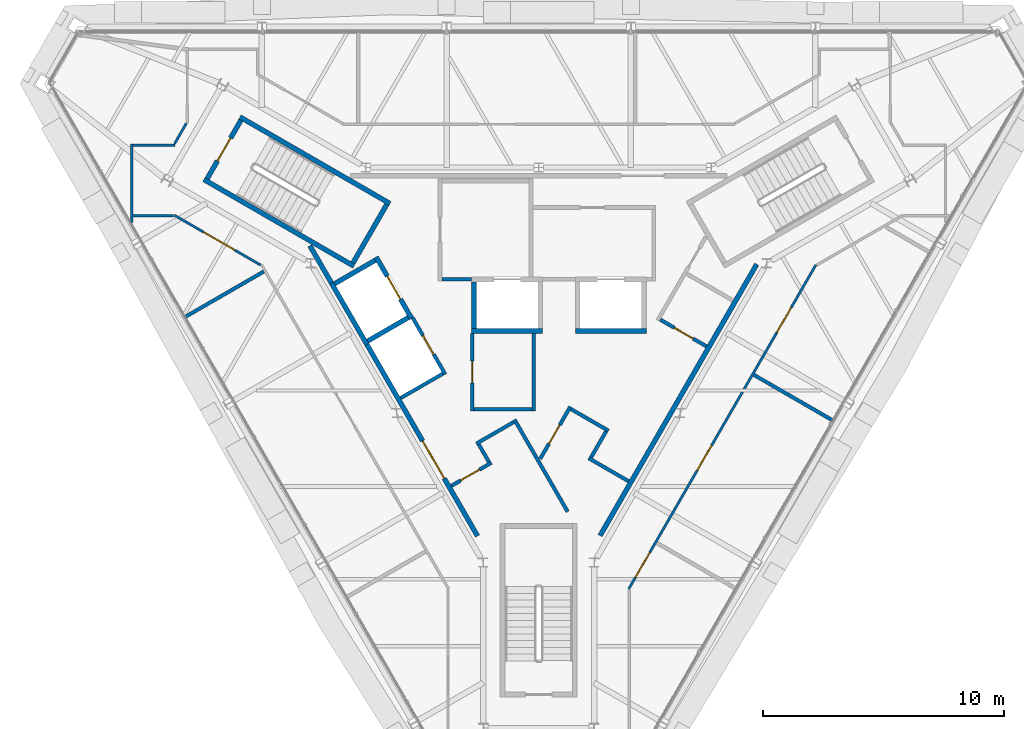
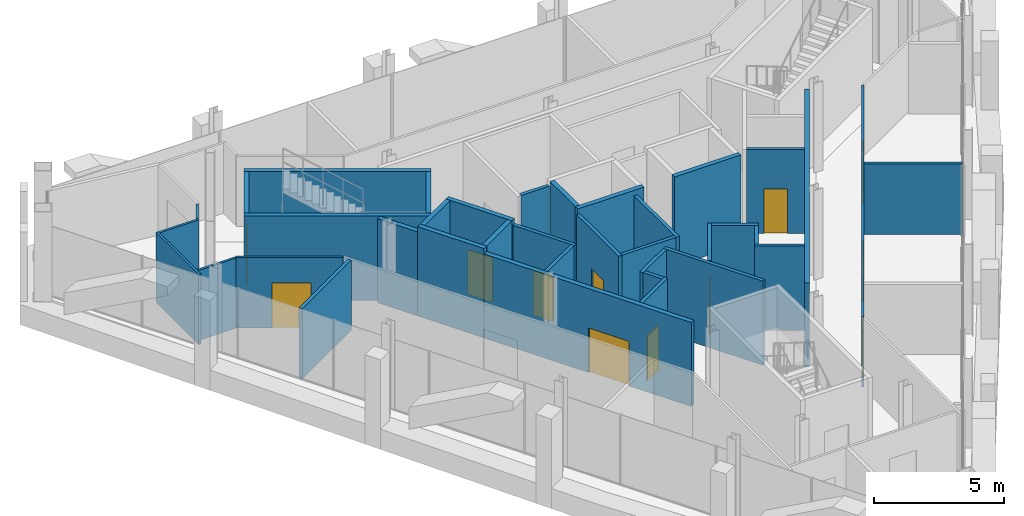
# One storey, part 9 of 13: 37 walls, 12 doors, 12 openings.
"""IFC4 building model written with IfcOpenShell, lengths in metres."""

from ifc_helpers import new_model, si_unit, direction, frame, frame_2d, origin, place, context, subcontext, project, spatial, rectangle, extrude, material, layer, layer_set, type_object, element, fill, save


model = new_model("IFC4")

# Units and contexts
model_context = context("Model", 3, precision=1e-05, world=origin(), true_north=direction((0.0, 1.0)))
body_context = subcontext(model_context, "Body", "Model", "MODEL_VIEW")
ifc_project = project(units=[si_unit("LENGTHUNIT", "METRE"), si_unit("AREAUNIT", "SQUARE_METRE"), si_unit("VOLUMEUNIT", "CUBIC_METRE"), si_unit("PLANEANGLEUNIT", "RADIAN"), si_unit("MASSUNIT", "GRAM", prefix="KILO")], contexts=[model_context])

# Site, building, storey
site_placement = place(None, origin())
site = spatial("IfcSite", under=ifc_project, at=site_placement, CompositionType="ELEMENT")
building_placement = place(site_placement, origin())
building = spatial("IfcBuilding", under=site, at=building_placement, Name="Verrane Prism Tower", CompositionType="ELEMENT")
storey_placement = place(building_placement, frame((0.0, 0.0, 321.0)))
storey = spatial("IfcBuildingStorey", under=building, at=storey_placement, Name="L81", CompositionType="ELEMENT", Elevation=321.0)

# Wall
ifc_material_1 = material(Name="Gypsum board partition", Category="other")
ifc_layer_1 = layer(ifc_material_1, 0.199951171875)
ifc_layer_set_1 = layer_set([ifc_layer_1], Name="CW-200 core boundary wall 2 h")
wall_type_1 = type_object("IfcWallType", Name="CW-200 core boundary wall 2 h", PredefinedType="PARTITIONING", material=ifc_layer_set_1)
wall_1_placement = place(storey_placement, frame((-9.509033203125, 3.550537109375, 0.0), z_axis=(0.0, 0.0, 1.0), x_axis=(0.499999136801, -0.866025902152, 0.0)))
element("IfcWall", 1, at=wall_1_placement, inside=storey, type_object=wall_type_1, Name="Core boundary wall CW3-001", PredefinedType="PARTITIONING", context=body_context, shape_type="SweptSolid", body=[
    extrude(rectangle(XDim=1.7822265625, YDim=0.199951171875, at=frame_2d((0.89111328125, 0.0))), origin(), (0.0, 0.0, 1.0), 3.949951171875),
])

# Wall, opening, door
wall_2_placement = place(storey_placement, frame((-7.14111328125, -0.551025390625, 0.0), z_axis=(0.0, 0.0, 1.0), x_axis=(0.499992795234, -0.866029563418, 0.0)))
wall_2 = element("IfcWall", 2, at=wall_2_placement, inside=storey, type_object=wall_type_1, Name="Core boundary wall CW3-003", PredefinedType="PARTITIONING", context=body_context, shape_type="SweptSolid", body=[
    extrude(rectangle(XDim=9.198486328125, YDim=0.199951171875, at=frame_2d((4.59912109375, 0.0))), origin(), (0.0, 0.0, 1.0), 3.949951171875),
])
opening_1_placement = place(wall_2_placement, frame((4.634033203125, 0.0, 0.0)))
opening_1 = element("IfcOpeningElement", 3, at=opening_1_placement, cuts=wall_2, Name="Opening D81507", PredefinedType="OPENING", context=body_context, shape_type="SweptSolid", body=[
    extrude(rectangle(XDim=1.800048828125, YDim=2.10009765625, at=frame_2d((0.89990234375, 1.050048828125))), frame((0.0, 0.10986328125, 0.0), z_axis=(0.0, -1.0, 0.0), x_axis=(1.0, 0.0, 0.0)), (0.0, 0.0, 1.0), 0.219970703125),
])
ifc_material_2 = material(Name="Timber veneered door leaf", Category="wood")
door_type_1 = type_object("IfcDoorType", Name="DR-1800x2100 FD60 double leaf lift lobby", OperationType="NOTDEFINED", PredefinedType="DOOR", material=ifc_material_2)
door_1_placement = place(opening_1_placement, origin())
door_1 = element("IfcDoor", 4, at=door_1_placement, inside=storey, type_object=door_type_1, Name="Lift lobby door D81507", OperationType="DOUBLE_DOOR_SINGLE_SWING", OverallHeight=2.10009765625, OverallWidth=1.800048828125, PredefinedType="DOOR", context=body_context, shape_type="SweptSolid", body=[
    extrude(rectangle(XDim=1.800048828125, YDim=2.10009765625, at=frame_2d((0.89990234375, 1.050048828125))), frame((0.0, 0.02490234375, 0.0), z_axis=(0.0, -1.0, 0.0), x_axis=(1.0, 0.0, 0.0)), (0.0, 0.0, 1.0), 0.050048828125),
])
fill(opening_1, door_1)

# Wall
wall_3_placement = place(storey_placement, frame((2.552001953125, -8.5, 0.0), z_axis=(0.0, 0.0, 1.0), x_axis=(0.499967462014, 0.866044188784, 0.0)))
element("IfcWall", 5, at=wall_3_placement, inside=storey, type_object=wall_type_1, Name="Core boundary wall CW3-004", PredefinedType="PARTITIONING", context=body_context, shape_type="SweptSolid", body=[
    extrude(rectangle(XDim=13.024658203125, YDim=0.199951171875, at=frame_2d((6.51220703125, 0.0))), origin(), (0.0, 0.0, 1.0), 3.949951171875),
])

# Wall, opening, door
ifc_material_3 = material(Name="Concrete C40/50", Category="concrete")
ifc_layer_2 = layer(ifc_material_3, 0.199951171875)
ifc_layer_set_2 = layer_set([ifc_layer_2], Name="CW-200 stair core wall concrete C40/50 3 h")
wall_type_2 = type_object("IfcWallType", Name="CW-200 stair core wall concrete C40/50 3 h", PredefinedType="PARTITIONING", material=ifc_layer_set_2)
wall_4_placement = place(storey_placement, frame((-12.376953125, 8.762451171875, 0.0), z_axis=(0.0, 0.0, 1.0), x_axis=(-0.500049511043, -0.865996816683, 0.0)))
wall_4 = element("IfcWall", 6, at=wall_4_placement, inside=storey, type_object=wall_type_2, Name="Stair 2 enclosure wall", PredefinedType="PARTITIONING", context=body_context, shape_type="SweptSolid", body=[
    extrude(rectangle(XDim=2.800048828125, YDim=0.199951171875, at=frame_2d((1.39990234375, 0.0))), origin(), (0.0, 0.0, 1.0), 3.949951171875),
])
opening_2_placement = place(wall_4_placement, frame((0.849853515625, 0.0, 0.0)))
opening_2 = element("IfcOpeningElement", 7, at=opening_2_placement, cuts=wall_4, Name="Opening D81501", PredefinedType="OPENING", context=body_context, shape_type="SweptSolid", body=[
    extrude(rectangle(XDim=1.10009765625, YDim=2.10009765625, at=frame_2d((0.550048828125, 1.050048828125))), frame((0.0, 0.10986328125, 0.0), z_axis=(0.0, -1.0, 0.0), x_axis=(1.0, 0.0, 0.0)), (0.0, 0.0, 1.0), 0.219970703125),
])
ifc_material_4 = material(Name="Timber veneered door leaf", Category="wood")
door_type_2 = type_object("IfcDoorType", Name="DR-1100x2100 FD90 single leaf stair", OperationType="NOTDEFINED", PredefinedType="DOOR", material=ifc_material_4)
door_2_placement = place(opening_2_placement, origin())
door_2 = element("IfcDoor", 8, at=door_2_placement, inside=storey, type_object=door_type_2, Name="Stair 2 door", OperationType="SINGLE_SWING_RIGHT", OverallHeight=2.10009765625, OverallWidth=1.10009765625, PredefinedType="DOOR", context=body_context, shape_type="SweptSolid", body=[
    extrude(rectangle(XDim=1.10009765625, YDim=2.10009765625, at=frame_2d((0.550048828125, 1.050048828125))), frame((0.0, 0.02490234375, 0.0), z_axis=(0.0, -1.0, 0.0), x_axis=(1.0, 0.0, 0.0)), (0.0, 0.0, 1.0), 0.050048828125),
])
fill(opening_2, door_2)

# Walls
for number, where, z_axis, x_axis, name in (
    (9, (-7.67822265625, 2.700927734375, 0.0), (0.0, 0.0, 1.0), (-0.866018442252, 0.500012057535, 0.0), "Stair 2 enclosure wall"),
    (10, (-6.17822265625, 5.299072265625, 0.0), (0.0, 0.0, 1.0), (-0.866033125095, 0.499986626058, 0.0), "Stair 2 enclosure wall"),
):
    element("IfcWall", number, at=place(storey_placement, frame(where, z_axis=z_axis, x_axis=x_axis)), inside=storey, type_object=wall_type_2, Name=name, PredefinedType="PARTITIONING", context=body_context, shape_type="SweptSolid", body=[
        extrude(rectangle(XDim=7.199951171875, YDim=0.199951171875, at=frame_2d((3.60009765625, 0.0))), origin(), (0.0, 0.0, 1.0), 3.949951171875),
    ])
wall_5_placement = place(storey_placement, frame((-6.314697265625, 5.262451171875, 0.0), z_axis=(0.0, 0.0, 1.0), x_axis=(-0.500049511043, -0.865996816683, 0.0)))
element("IfcWall", 11, at=wall_5_placement, inside=storey, type_object=wall_type_2, Name="Stair 2 enclosure wall", PredefinedType="PARTITIONING", context=body_context, shape_type="SweptSolid", body=[
    extrude(rectangle(XDim=2.800048828125, YDim=0.199951171875, at=frame_2d((1.39990234375, 0.0))), origin(), (0.0, 0.0, 1.0), 3.949951171875),
])
ifc_material_5 = material(Name="Gypsum board shaft wall assembly", Category="other")
ifc_layer_3 = layer(ifc_material_5, 0.199951171875)
ifc_layer_set_3 = layer_set([ifc_layer_3], Name="HW-200 lift shaft wall 2 h")
wall_type_3 = type_object("IfcWallType", Name="HW-200 lift shaft wall 2 h", PredefinedType="PARTITIONING", material=ifc_layer_set_3)
wall_6_placement = place(storey_placement, frame((-2.784912109375, 0.0, 0.0), z_axis=(0.0, 0.0, 1.0), x_axis=(1.0, 0.0, 0.0)))
element("IfcWall", 12, at=wall_6_placement, inside=storey, type_object=wall_type_3, Name="Lift shaft wall", PredefinedType="PARTITIONING", context=body_context, shape_type="SweptSolid", body=[
    extrude(rectangle(XDim=2.949951171875, YDim=0.199951171875, at=frame_2d((1.47509765625, 0.0))), origin(), (0.0, 0.0, 1.0), 4.199951171875),
])
wall_7_placement = place(storey_placement, frame((1.52490234375, 0.0, 0.0), z_axis=(0.0, 0.0, 1.0), x_axis=(1.0, 0.0, 0.0)))
element("IfcWall", 13, at=wall_7_placement, inside=storey, type_object=wall_type_3, Name="Lift shaft wall", PredefinedType="PARTITIONING", context=body_context, shape_type="SweptSolid", body=[
    extrude(rectangle(XDim=2.9501953125, YDim=0.199951171875, at=frame_2d((1.47509765625, 0.0))), origin(), (0.0, 0.0, 1.0), 4.199951171875),
])
for number, where, z_axis, x_axis, name in (
    (14, (-7.10546875, -0.4130859375, 0.0), (0.0, 0.0, 1.0), (0.866000020948, 0.500043961785, 0.0), "Lift shaft wall"),
    (15, (-8.48046875, 1.968505859375, 0.0), (0.0, 0.0, 1.0), (0.866000020948, 0.500043961785, 0.0), "Lift shaft wall"),
    (16, (-2.68505859375, 0.10009765625, 0.0), (0.0, 0.0, 1.0), (0.0, 1.0, 0.0), "Lift shaft wall"),
):
    element("IfcWall", number, at=place(storey_placement, frame(where, z_axis=z_axis, x_axis=x_axis)), inside=storey, type_object=wall_type_3, Name=name, PredefinedType="PARTITIONING", context=body_context, shape_type="SweptSolid", body=[
        extrude(rectangle(XDim=1.949951171875, YDim=0.199951171875, at=frame_2d((0.97509765625, 0.0))), origin(), (0.0, 0.0, 1.0), 4.199951171875),
    ])

# Wall, opening, door
wall_8_placement = place(storey_placement, frame((-5.280029296875, 0.525390625, 0.0), z_axis=(0.0, 0.0, 1.0), x_axis=(-0.500037662692, 0.866003658127, 0.0)))
wall_8 = element("IfcWall", 17, at=wall_8_placement, inside=storey, type_object=wall_type_3, Name="Lift shaft wall", PredefinedType="PARTITIONING", context=body_context, shape_type="SweptSolid", body=[
    extrude(rectangle(XDim=2.949951171875, YDim=0.199951171875, at=frame_2d((1.47509765625, 0.0))), origin(), (0.0, 0.0, 1.0), 4.199951171875),
])
opening_3_placement = place(wall_8_placement, frame((0.925048828125, 0.0, 0.0)))
opening_3 = element("IfcOpeningElement", 18, at=opening_3_placement, cuts=wall_8, Name="Opening D81505", PredefinedType="OPENING", context=body_context, shape_type="SweptSolid", body=[
    extrude(rectangle(XDim=1.10009765625, YDim=2.10009765625, at=frame_2d((0.550048828125, 1.050048828125))), frame((0.0, 0.10986328125, 0.0), z_axis=(0.0, -1.0, 0.0), x_axis=(1.0, 0.0, 0.0)), (0.0, 0.0, 1.0), 0.219970703125),
])
ifc_material_6 = material(Name="Stainless steel sliding landing door", Category="steel")
door_type_3 = type_object("IfcDoorType", Name="LD-1100x2100 lift landing door FD90 sliding", OperationType="NOTDEFINED", PredefinedType="DOOR", material=ifc_material_6)
door_3_placement = place(opening_3_placement, origin())
door_3 = element("IfcDoor", 19, at=door_3_placement, inside=storey, type_object=door_type_3, Name="Service lift 1 landing door", OperationType="SLIDING_TO_LEFT", OverallHeight=2.10009765625, OverallWidth=1.10009765625, PredefinedType="DOOR", context=body_context, shape_type="SweptSolid", body=[
    extrude(rectangle(XDim=1.10009765625, YDim=2.10009765625, at=frame_2d((0.550048828125, 1.050048828125))), frame((0.0, 0.02490234375, 0.0), z_axis=(0.0, -1.0, 0.0), x_axis=(1.0, 0.0, 0.0)), (0.0, 0.0, 1.0), 0.050048828125),
])
fill(opening_3, door_3)

# Walls
wall_9_placement = place(storey_placement, frame((-7.14208984375, -0.549560546875, 0.0), z_axis=(0.0, 0.0, 1.0), x_axis=(-0.49997559174, 0.866039495442, 0.0)))
element("IfcWall", 20, at=wall_9_placement, inside=storey, type_object=wall_type_3, Name="Lift shaft wall", PredefinedType="PARTITIONING", context=body_context, shape_type="SweptSolid", body=[
    extrude(rectangle(XDim=2.949951171875, YDim=0.199951171875, at=frame_2d((1.47509765625, 0.0))), origin(), (0.0, 0.0, 1.0), 4.199951171875),
])
ifc_material_7 = material(Name="Gypsum board partition", Category="other")
ifc_layer_4 = layer(ifc_material_7, 0.14990234375)
ifc_layer_set_4 = layer_set([ifc_layer_4], Name="LF-150 firefighting lobby wall 1 h")
wall_type_4 = type_object("IfcWallType", Name="LF-150 firefighting lobby wall 1 h", PredefinedType="PARTITIONING", material=ifc_layer_set_4)
wall_10_placement = place(storey_placement, frame((-4.02490234375, 2.159912109375, 0.0), z_axis=(0.0, 0.0, 1.0), x_axis=(1.0, 0.0, 0.0)))
element("IfcWall", 21, at=wall_10_placement, inside=storey, type_object=wall_type_4, Name="Firefighting lobby wall LF1-002", PredefinedType="PARTITIONING", context=body_context, shape_type="SweptSolid", body=[
    extrude(rectangle(XDim=1.23779296875, YDim=0.14990234375, at=frame_2d((0.618896484375, 0.0))), origin(), (0.0, 0.0, 1.0), 3.949951171875),
])
ifc_material_8 = material(Name="Gypsum board partition", Category="other")
ifc_layer_5 = layer(ifc_material_8, 0.10009765625)
ifc_layer_set_5 = layer_set([ifc_layer_5], Name="PW-100 crown corridor wall 1 h")
wall_type_5 = type_object("IfcWallType", Name="PW-100 crown corridor wall 1 h", PredefinedType="PARTITIONING", material=ifc_layer_set_5)
wall_11_placement = place(storey_placement, frame((-16.908935546875, 4.506591796875, 0.0), z_axis=(0.0, 0.0, 1.0), x_axis=(0.0, 1.0, 0.0)))
element("IfcWall", 22, at=wall_11_placement, inside=storey, type_object=wall_type_5, Name="Corridor wall 002", PredefinedType="PARTITIONING", context=body_context, shape_type="SweptSolid", body=[
    extrude(rectangle(XDim=3.2724609375, YDim=0.10009765625, at=frame_2d((1.63623046875, 0.0))), origin(), (0.0, 0.0, 1.0), 3.297119140625),
])
wall_12_placement = place(storey_placement, frame((-16.85888671875, 7.72900390625, 0.0), z_axis=(0.0, 0.0, 1.0), x_axis=(1.0, 0.0, 0.0)))
element("IfcWall", 23, at=wall_12_placement, inside=storey, type_object=wall_type_5, Name="Corridor wall 003", PredefinedType="PARTITIONING", context=body_context, shape_type="SweptSolid", body=[
    extrude(rectangle(XDim=1.741943359375, YDim=0.10009765625, at=frame_2d((0.87109375, 0.0))), origin(), (0.0, 0.0, 1.0), 3.297119140625),
])
wall_13_placement = place(storey_placement, frame((-16.85888671875, 4.791015625, 0.0), z_axis=(0.0, 0.0, 1.0), x_axis=(1.0, 0.0, 0.0)))
element("IfcWall", 24, at=wall_13_placement, inside=storey, type_object=wall_type_5, Name="Corridor wall 004", PredefinedType="PARTITIONING", context=body_context, shape_type="SweptSolid", body=[
    extrude(rectangle(XDim=1.69091796875, YDim=0.10009765625, at=frame_2d((0.845458984375, 0.0))), origin(), (0.0, 0.0, 1.0), 3.297119140625),
])
wall_14_placement = place(storey_placement, frame((-15.132080078125, 7.78955078125, 0.0), z_axis=(0.0, 0.0, 1.0), x_axis=(0.499823463829, 0.866127303003, 0.0)))
element("IfcWall", 25, at=wall_14_placement, inside=storey, type_object=wall_type_5, Name="Corridor wall 005", PredefinedType="PARTITIONING", context=body_context, shape_type="SweptSolid", body=[
    extrude(rectangle(XDim=0.976318359375, YDim=0.10009765625, at=frame_2d((0.48828125, 0.0))), origin(), (0.0, 0.0, 1.0), 3.297119140625),
])

# Wall, opening, door
wall_15_placement = place(storey_placement, frame((-11.556640625, 2.74609375, 0.0), z_axis=(0.0, 0.0, 1.0), x_axis=(-0.866005840187, 0.500033883614, 0.0)))
wall_15 = element("IfcWall", 26, at=wall_15_placement, inside=storey, type_object=wall_type_5, Name="Corridor wall 006", PredefinedType="PARTITIONING", context=body_context, shape_type="SweptSolid", body=[
    extrude(rectangle(XDim=4.139404296875, YDim=0.10009765625, at=frame_2d((2.06982421875, 0.0))), origin(), (0.0, 0.0, 1.0), 3.297119140625),
])
opening_4_placement = place(wall_15_placement, frame((1.239501953125, 0.0, 0.0)))
opening_4 = element("IfcOpeningElement", 27, at=opening_4_placement, cuts=wall_15, Name="Opening D81012", PredefinedType="OPENING", context=body_context, shape_type="SweptSolid", body=[
    extrude(rectangle(XDim=1.5, YDim=2.10009765625, at=frame_2d((0.75, 1.050048828125))), frame((0.0, 0.06005859375, 0.0), z_axis=(0.0, -1.0, 0.0), x_axis=(1.0, 0.0, 0.0)), (0.0, 0.0, 1.0), 0.1201171875),
])
ifc_material_9 = material(Name="Timber veneered door leaf", Category="wood")
door_type_4 = type_object("IfcDoorType", Name="DR-1500x2100 FD60 double leaf unit", OperationType="NOTDEFINED", PredefinedType="DOOR", material=ifc_material_9)
door_4_placement = place(opening_4_placement, origin())
door_4 = element("IfcDoor", 28, at=door_4_placement, inside=storey, type_object=door_type_4, Name="Mechanical Plant Room door", OperationType="DOUBLE_DOOR_SINGLE_SWING", OverallHeight=2.10009765625, OverallWidth=1.5, PredefinedType="DOOR", context=body_context, shape_type="SweptSolid", body=[
    extrude(rectangle(XDim=1.5, YDim=2.10009765625, at=frame_2d((0.75, 1.050048828125))), frame((0.0, 0.02490234375, 0.0), z_axis=(0.0, -1.0, 0.0), x_axis=(1.0, 0.0, 0.0)), (0.0, 0.0, 1.0), 0.050048828125),
])
fill(opening_4, door_4)

# Wall, openings, doors
wall_16_placement = place(storey_placement, frame((11.52099609375, 2.75439453125, 0.0), z_axis=(0.0, 0.0, 1.0), x_axis=(-0.500044034969, -0.86599997869, 0.0)))
wall_16 = element("IfcWall", 29, at=wall_16_placement, inside=storey, type_object=wall_type_5, Name="Corridor wall 021", PredefinedType="PARTITIONING", context=body_context, shape_type="SweptSolid", body=[
    extrude(rectangle(XDim=15.552734375, YDim=0.10009765625, at=frame_2d((7.7763671875, 0.0))), origin(), (0.0, 0.0, 1.0), 3.297119140625),
])
opening_5_placement = place(wall_16_placement, frame((13.802734375, 0.0, 0.0)))
opening_5 = element("IfcOpeningElement", 30, at=opening_5_placement, cuts=wall_16, Name="Opening D81008", PredefinedType="OPENING", context=body_context, shape_type="SweptSolid", body=[
    extrude(rectangle(XDim=1.199951171875, YDim=2.10009765625, at=frame_2d((0.60009765625, 1.050048828125))), frame((0.0, 0.06005859375, 0.0), z_axis=(0.0, -1.0, 0.0), x_axis=(1.0, 0.0, 0.0)), (0.0, 0.0, 1.0), 0.1201171875),
])
opening_6_placement = place(wall_16_placement, frame((8.66455078125, 0.0, 0.0)))
opening_6 = element("IfcOpeningElement", 31, at=opening_6_placement, cuts=wall_16, Name="Opening D81009", PredefinedType="OPENING", context=body_context, shape_type="SweptSolid", body=[
    extrude(rectangle(XDim=1.199951171875, YDim=2.10009765625, at=frame_2d((0.60009765625, 1.050048828125))), frame((0.0, 0.06005859375, 0.0), z_axis=(0.0, -1.0, 0.0), x_axis=(1.0, 0.0, 0.0)), (0.0, 0.0, 1.0), 0.1201171875),
])
opening_7_placement = place(wall_16_placement, frame((2.048583984375, 0.0, 0.0)))
opening_7 = element("IfcOpeningElement", 32, at=opening_7_placement, cuts=wall_16, Name="Opening D81010", PredefinedType="OPENING", context=body_context, shape_type="SweptSolid", body=[
    extrude(rectangle(XDim=1.199951171875, YDim=2.10009765625, at=frame_2d((0.60009765625, 1.050048828125))), frame((0.0, 0.06005859375, 0.0), z_axis=(0.0, -1.0, 0.0), x_axis=(1.0, 0.0, 0.0)), (0.0, 0.0, 1.0), 0.1201171875),
])
ifc_material_10 = material(Name="Timber veneered door leaf", Category="wood")
door_type_5 = type_object("IfcDoorType", Name="DR-1200x2100 FD60 single leaf unit", OperationType="NOTDEFINED", PredefinedType="DOOR", material=ifc_material_10)
door_5_placement = place(opening_5_placement, origin())
door_5 = element("IfcDoor", 33, at=door_5_placement, inside=storey, type_object=door_type_5, Name="Electrical Switch Room door", OperationType="SINGLE_SWING_LEFT", OverallHeight=2.10009765625, OverallWidth=1.199951171875, PredefinedType="DOOR", context=body_context, shape_type="SweptSolid", body=[
    extrude(rectangle(XDim=1.199951171875, YDim=2.10009765625, at=frame_2d((0.60009765625, 1.050048828125))), frame((0.0, 0.02490234375, 0.0), z_axis=(0.0, -1.0, 0.0), x_axis=(1.0, 0.0, 0.0)), (0.0, 0.0, 1.0), 0.050048828125),
])
fill(opening_5, door_5)
door_6_placement = place(opening_6_placement, origin())
door_6 = element("IfcDoor", 34, at=door_6_placement, inside=storey, type_object=door_type_5, Name="Electrical Switch Room door", OperationType="SINGLE_SWING_RIGHT", OverallHeight=2.10009765625, OverallWidth=1.199951171875, PredefinedType="DOOR", context=body_context, shape_type="SweptSolid", body=[
    extrude(rectangle(XDim=1.199951171875, YDim=2.10009765625, at=frame_2d((0.60009765625, 1.050048828125))), frame((0.0, 0.02490234375, 0.0), z_axis=(0.0, -1.0, 0.0), x_axis=(1.0, 0.0, 0.0)), (0.0, 0.0, 1.0), 0.050048828125),
])
fill(opening_6, door_6)
door_7_placement = place(opening_7_placement, origin())
door_7 = element("IfcDoor", 35, at=door_7_placement, inside=storey, type_object=door_type_5, Name="Electrical Switch Room door", OperationType="SINGLE_SWING_LEFT", OverallHeight=2.10009765625, OverallWidth=1.199951171875, PredefinedType="DOOR", context=body_context, shape_type="SweptSolid", body=[
    extrude(rectangle(XDim=1.199951171875, YDim=2.10009765625, at=frame_2d((0.60009765625, 1.050048828125))), frame((0.0, 0.02490234375, 0.0), z_axis=(0.0, -1.0, 0.0), x_axis=(1.0, 0.0, 0.0)), (0.0, 0.0, 1.0), 0.050048828125),
])
fill(opening_7, door_7)

# Walls
ifc_material_11 = material(Name="Gypsum board partition", Category="other")
ifc_layer_6 = layer(ifc_material_11, 0.14990234375)
ifc_layer_set_6 = layer_set([ifc_layer_6], Name="PW-150 demising wall 1 h")
wall_type_6 = type_object("IfcWallType", Name="PW-150 demising wall 1 h", PredefinedType="PARTITIONING", material=ifc_layer_set_6)
wall_17_placement = place(storey_placement, frame((-14.69580078125, 0.588134765625, 0.0), z_axis=(0.0, 0.0, 1.0), x_axis=(0.866115649152, 0.499843657852, 0.0)))
element("IfcWall", 36, at=wall_17_placement, inside=storey, type_object=wall_type_6, Name="Demising wall 009", PredefinedType="PARTITIONING", context=body_context, shape_type="SweptSolid", body=[
    extrude(rectangle(XDim=3.778076171875, YDim=0.14990234375, at=frame_2d((1.88916015625, 0.0))), origin(), (0.0, 0.0, 1.0), 3.297119140625),
])
wall_18_placement = place(storey_placement, frame((8.943603515625, -1.818603515625, 0.0), z_axis=(0.0, 0.0, 1.0), x_axis=(0.865987581393, -0.500065504582, 0.0)))
element("IfcWall", 37, at=wall_18_placement, inside=storey, type_object=wall_type_6, Name="Demising wall 025", PredefinedType="PARTITIONING", context=body_context, shape_type="SweptSolid", body=[
    extrude(rectangle(XDim=3.7783203125, YDim=0.14990234375, at=frame_2d((1.88916015625, 0.0))), origin(), (0.0, 0.0, 1.0), 3.297119140625),
])
ifc_material_12 = material(Name="Gypsum board partition", Category="other")
ifc_layer_7 = layer(ifc_material_12, 0.14990234375)
ifc_layer_set_7 = layer_set([ifc_layer_7], Name="RS-150 riser enclosure wall 1 h")
wall_type_7 = type_object("IfcWallType", Name="RS-150 riser enclosure wall 1 h", PredefinedType="PARTITIONING", material=ifc_layer_set_7)
wall_19_placement = place(storey_placement, frame((-5.7373046875, -2.781982421875, 0.0), z_axis=(0.0, 0.0, 1.0), x_axis=(0.866000843773, 0.500042536776, 0.0)))
element("IfcWall", 38, at=wall_19_placement, inside=storey, type_object=wall_type_7, Name="Riser wall RS3-001", PredefinedType="PARTITIONING", context=body_context, shape_type="SweptSolid", body=[
    extrude(rectangle(XDim=2.024658203125, YDim=0.14990234375, at=frame_2d((1.01220703125, 0.0))), origin(), (0.0, 0.0, 1.0), 3.949951171875),
])

# Wall, opening, door
wall_20_placement = place(storey_placement, frame((-3.881591796875, -1.796875, 0.0), z_axis=(0.0, 0.0, 1.0), x_axis=(-0.500016307898, 0.86601598821, 0.0)))
wall_20 = element("IfcWall", 39, at=wall_20_placement, inside=storey, type_object=wall_type_7, Name="Riser wall RS3-002", PredefinedType="PARTITIONING", context=body_context, shape_type="SweptSolid", body=[
    extrude(rectangle(XDim=2.708984375, YDim=0.14990234375, at=frame_2d((1.3544921875, 0.0))), origin(), (0.0, 0.0, 1.0), 3.949951171875),
])
opening_8_placement = place(wall_20_placement, frame((0.958984375, 0.0, 0.0)))
opening_8 = element("IfcOpeningElement", 40, at=opening_8_placement, cuts=wall_20, Name="Opening D81508", PredefinedType="OPENING", context=body_context, shape_type="SweptSolid", body=[
    extrude(rectangle(XDim=0.89990234375, YDim=2.10009765625, at=frame_2d((0.449951171875, 1.050048828125))), frame((0.0, 0.0849609375, 0.0), z_axis=(0.0, -1.0, 0.0), x_axis=(1.0, 0.0, 0.0)), (0.0, 0.0, 1.0), 0.169921875),
])
ifc_material_13 = material(Name="Timber veneered door leaf", Category="wood")
door_type_6 = type_object("IfcDoorType", Name="DR-900x2100 FD60 single leaf riser", OperationType="NOTDEFINED", PredefinedType="DOOR", material=ifc_material_13)
door_8_placement = place(opening_8_placement, origin())
door_8 = element("IfcDoor", 41, at=door_8_placement, inside=storey, type_object=door_type_6, Name="Riser door D81508", OperationType="SINGLE_SWING_LEFT", OverallHeight=2.10009765625, OverallWidth=0.89990234375, PredefinedType="DOOR", context=body_context, shape_type="SweptSolid", body=[
    extrude(rectangle(XDim=0.89990234375, YDim=2.10009765625, at=frame_2d((0.449951171875, 1.050048828125))), frame((0.0, 0.02490234375, 0.0), z_axis=(0.0, -1.0, 0.0), x_axis=(1.0, 0.0, 0.0)), (0.0, 0.0, 1.0), 0.050048828125),
])
fill(opening_8, door_8)

wall_21_placement = place(storey_placement, frame((-1.963134765625, -5.469482421875, 0.0), z_axis=(0.0, 0.0, 1.0), x_axis=(-0.866043720474, -0.49996827322, 0.0)))
wall_21 = element("IfcWall", 42, at=wall_21_placement, inside=storey, type_object=wall_type_7, Name="Riser wall RS3-003", PredefinedType="PARTITIONING", context=body_context, shape_type="SweptSolid", body=[
    extrude(rectangle(XDim=1.919921875, YDim=0.14990234375, at=frame_2d((0.9599609375, 0.0))), origin(), (0.0, 0.0, 1.0), 3.949951171875),
])
opening_9_placement = place(wall_21_placement, frame((0.5751953125, 0.0, 0.0)))
opening_9 = element("IfcOpeningElement", 43, at=opening_9_placement, cuts=wall_21, Name="Opening D81510", PredefinedType="OPENING", context=body_context, shape_type="SweptSolid", body=[
    extrude(rectangle(XDim=0.89990234375, YDim=2.10009765625, at=frame_2d((0.449951171875, 1.050048828125))), frame((0.0, 0.0849609375, 0.0), z_axis=(0.0, -1.0, 0.0), x_axis=(1.0, 0.0, 0.0)), (0.0, 0.0, 1.0), 0.169921875),
])
ifc_material_14 = material(Name="Timber veneered door leaf", Category="wood")
door_type_7 = type_object("IfcDoorType", Name="DR-900x2100 FD20 single leaf store", OperationType="NOTDEFINED", PredefinedType="DOOR", material=ifc_material_14)
door_9_placement = place(opening_9_placement, origin())
door_9 = element("IfcDoor", 44, at=door_9_placement, inside=storey, type_object=door_type_7, Name="Room door D81510", OperationType="SINGLE_SWING_RIGHT", OverallHeight=2.10009765625, OverallWidth=0.89990234375, PredefinedType="DOOR", context=body_context, shape_type="SweptSolid", body=[
    extrude(rectangle(XDim=0.89990234375, YDim=2.10009765625, at=frame_2d((0.449951171875, 1.050048828125))), frame((0.0, 0.02490234375, 0.0), z_axis=(0.0, -1.0, 0.0), x_axis=(1.0, 0.0, 0.0)), (0.0, 0.0, 1.0), 0.050048828125),
])
fill(opening_9, door_9)

wall_22_placement = place(storey_placement, frame((-2.7548828125, -0.10205078125, 0.0), z_axis=(0.0, 0.0, 1.0), x_axis=(0.0, -1.0, 0.0)))
wall_22 = element("IfcWall", 45, at=wall_22_placement, inside=storey, type_object=wall_type_7, Name="Riser wall RS3-004", PredefinedType="PARTITIONING", context=body_context, shape_type="SweptSolid", body=[
    extrude(rectangle(XDim=3.222900390625, YDim=0.14990234375, at=frame_2d((1.611328125, 0.0))), origin(), (0.0, 0.0, 1.0), 3.949951171875),
])
opening_10_placement = place(wall_22_placement, frame((1.14794921875, 0.0, 0.0)))
opening_10 = element("IfcOpeningElement", 46, at=opening_10_placement, cuts=wall_22, Name="Opening D81511", PredefinedType="OPENING", context=body_context, shape_type="SweptSolid", body=[
    extrude(rectangle(XDim=0.89990234375, YDim=2.10009765625, at=frame_2d((0.449951171875, 1.050048828125))), frame((0.0, 0.0849609375, 0.0), z_axis=(0.0, -1.0, 0.0), x_axis=(1.0, 0.0, 0.0)), (0.0, 0.0, 1.0), 0.169921875),
])
door_10_placement = place(opening_10_placement, origin())
door_10 = element("IfcDoor", 47, at=door_10_placement, inside=storey, type_object=door_type_7, Name="Room door D81511", OperationType="SINGLE_SWING_LEFT", OverallHeight=2.10009765625, OverallWidth=0.89990234375, PredefinedType="DOOR", context=body_context, shape_type="SweptSolid", body=[
    extrude(rectangle(XDim=0.89990234375, YDim=2.10009765625, at=frame_2d((0.449951171875, 1.050048828125))), frame((0.0, 0.02490234375, 0.0), z_axis=(0.0, -1.0, 0.0), x_axis=(1.0, 0.0, 0.0)), (0.0, 0.0, 1.0), 0.050048828125),
])
fill(opening_10, door_10)

# Walls
wall_23_placement = place(storey_placement, frame((-2.679931640625, -3.25, 0.0), z_axis=(0.0, 0.0, 1.0), x_axis=(1.0, 0.0, 0.0)))
element("IfcWall", 48, at=wall_23_placement, inside=storey, type_object=wall_type_7, Name="Riser wall RS3-005", PredefinedType="PARTITIONING", context=body_context, shape_type="SweptSolid", body=[
    extrude(rectangle(XDim=2.39990234375, YDim=0.14990234375, at=frame_2d((1.199951171875, 0.0))), origin(), (0.0, 0.0, 1.0), 3.949951171875),
])
wall_24_placement = place(storey_placement, frame((-2.490478515625, -4.7060546875, 0.0), z_axis=(0.0, 0.0, 1.0), x_axis=(0.500062241894, -0.865989465428, 0.0)))
element("IfcWall", 49, at=wall_24_placement, inside=storey, type_object=wall_type_7, Name="Riser wall RS3-006", PredefinedType="PARTITIONING", context=body_context, shape_type="SweptSolid", body=[
    extrude(rectangle(XDim=0.85009765625, YDim=0.14990234375, at=frame_2d((0.425048828125, 0.0))), origin(), (0.0, 0.0, 1.0), 3.949951171875),
])
wall_25_placement = place(storey_placement, frame((-2.593017578125, -4.678466796875, 0.0), z_axis=(0.0, 0.0, 1.0), x_axis=(0.866081705922, 0.499902469156, 0.0)))
element("IfcWall", 50, at=wall_25_placement, inside=storey, type_object=wall_type_7, Name="Riser wall RS3-007", PredefinedType="PARTITIONING", context=body_context, shape_type="SweptSolid", body=[
    extrude(rectangle(XDim=1.800048828125, YDim=0.14990234375, at=frame_2d((0.89990234375, 0.0))), origin(), (0.0, 0.0, 1.0), 3.949951171875),
])
wall_26_placement = place(storey_placement, frame((-1.006591796875, -3.676025390625, 0.0), z_axis=(0.0, 0.0, 1.0), x_axis=(0.500037662692, -0.866003658127, 0.0)))
element("IfcWall", 51, at=wall_26_placement, inside=storey, type_object=wall_type_7, Name="Riser wall RS3-008", PredefinedType="PARTITIONING", context=body_context, shape_type="SweptSolid", body=[
    extrude(rectangle(XDim=4.425048828125, YDim=0.14990234375, at=frame_2d((2.21240234375, 0.0))), origin(), (0.0, 0.0, 1.0), 3.949951171875),
])
wall_27_placement = place(storey_placement, frame((-0.205078125, -3.324951171875, 0.0), z_axis=(0.0, 0.0, 1.0), x_axis=(0.0, 1.0, 0.0)))
element("IfcWall", 52, at=wall_27_placement, inside=storey, type_object=wall_type_7, Name="Riser wall RS3-009", PredefinedType="PARTITIONING", context=body_context, shape_type="SweptSolid", body=[
    extrude(rectangle(XDim=3.222900390625, YDim=0.14990234375, at=frame_2d((1.611328125, 0.0))), origin(), (0.0, 0.0, 1.0), 3.949951171875),
])

# Wall, opening, door
wall_28_placement = place(storey_placement, frame((1.31640625, -3.13916015625, 0.0), z_axis=(0.0, 0.0, 1.0), x_axis=(-0.500063042646, -0.865989003036, 0.0)))
wall_28 = element("IfcWall", 53, at=wall_28_placement, inside=storey, type_object=wall_type_7, Name="Riser wall RS3-010", PredefinedType="PARTITIONING", context=body_context, shape_type="SweptSolid", body=[
    extrude(rectangle(XDim=2.502685546875, YDim=0.14990234375, at=frame_2d((1.25146484375, 0.0))), origin(), (0.0, 0.0, 1.0), 3.949951171875),
])
opening_11_placement = place(wall_28_placement, frame((0.8828125, 0.0, 0.0)))
opening_11 = element("IfcOpeningElement", 54, at=opening_11_placement, cuts=wall_28, Name="Opening D81513", PredefinedType="OPENING", context=body_context, shape_type="SweptSolid", body=[
    extrude(rectangle(XDim=0.89990234375, YDim=2.10009765625, at=frame_2d((0.449951171875, 1.050048828125))), frame((0.0, 0.0849609375, 0.0), z_axis=(0.0, -1.0, 0.0), x_axis=(1.0, 0.0, 0.0)), (0.0, 0.0, 1.0), 0.169921875),
])
door_11_placement = place(opening_11_placement, origin())
door_11 = element("IfcDoor", 55, at=door_11_placement, inside=storey, type_object=door_type_7, Name="Room door D81513", OperationType="SINGLE_SWING_RIGHT", OverallHeight=2.10009765625, OverallWidth=0.89990234375, PredefinedType="DOOR", context=body_context, shape_type="SweptSolid", body=[
    extrude(rectangle(XDim=0.89990234375, YDim=2.10009765625, at=frame_2d((0.449951171875, 1.050048828125))), frame((0.0, 0.02490234375, 0.0), z_axis=(0.0, -1.0, 0.0), x_axis=(1.0, 0.0, 0.0)), (0.0, 0.0, 1.0), 0.050048828125),
])
fill(opening_11, door_11)

# Walls
wall_29_placement = place(storey_placement, frame((1.343994140625, -3.241455078125, 0.0), z_axis=(0.0, 0.0, 1.0), x_axis=(0.865989075817, -0.500062916607, 0.0)))
element("IfcWall", 56, at=wall_29_placement, inside=storey, type_object=wall_type_7, Name="Riser wall RS3-011", PredefinedType="PARTITIONING", context=body_context, shape_type="SweptSolid", body=[
    extrude(rectangle(XDim=1.800048828125, YDim=0.14990234375, at=frame_2d((0.89990234375, 0.0))), origin(), (0.0, 0.0, 1.0), 3.949951171875),
])
wall_30_placement = place(storey_placement, frame((2.175537109375, -5.2509765625, 0.0), z_axis=(0.0, 0.0, 1.0), x_axis=(0.500173430036, 0.86592525075, 0.0)))
element("IfcWall", 57, at=wall_30_placement, inside=storey, type_object=wall_type_7, Name="Riser wall RS3-012", PredefinedType="PARTITIONING", context=body_context, shape_type="SweptSolid", body=[
    extrude(rectangle(XDim=1.24951171875, YDim=0.14990234375, at=frame_2d((0.624755859375, 0.0))), origin(), (0.0, 0.0, 1.0), 3.949951171875),
])
wall_31_placement = place(storey_placement, frame((2.072998046875, -5.278564453125, 0.0), z_axis=(0.0, 0.0, 1.0), x_axis=(0.86609690551, -0.499876134923, 0.0)))
element("IfcWall", 58, at=wall_31_placement, inside=storey, type_object=wall_type_7, Name="Riser wall RS3-013", PredefinedType="PARTITIONING", context=body_context, shape_type="SweptSolid", body=[
    extrude(rectangle(XDim=1.92529296875, YDim=0.14990234375, at=frame_2d((0.962646484375, 0.0))), origin(), (0.0, 0.0, 1.0), 3.949951171875),
])

# Wall, opening, door
wall_32_placement = place(storey_placement, frame((5.051025390625, 0.478515625, 0.0), z_axis=(0.0, 0.0, 1.0), x_axis=(0.865944298464, -0.500140452231, 0.0)))
wall_32 = element("IfcWall", 59, at=wall_32_placement, inside=storey, type_object=wall_type_7, Name="Riser wall RS3-015", PredefinedType="PARTITIONING", context=body_context, shape_type="SweptSolid", body=[
    extrude(rectangle(XDim=2.224365234375, YDim=0.14990234375, at=frame_2d((1.1123046875, 0.0))), origin(), (0.0, 0.0, 1.0), 3.949951171875),
])
opening_12_placement = place(wall_32_placement, frame((0.675048828125, 0.0, 0.0)))
opening_12 = element("IfcOpeningElement", 60, at=opening_12_placement, cuts=wall_32, Name="Opening D81515", PredefinedType="OPENING", context=body_context, shape_type="SweptSolid", body=[
    extrude(rectangle(XDim=0.89990234375, YDim=2.10009765625, at=frame_2d((0.449951171875, 1.050048828125))), frame((0.0, 0.0849609375, 0.0), z_axis=(0.0, -1.0, 0.0), x_axis=(1.0, 0.0, 0.0)), (0.0, 0.0, 1.0), 0.169921875),
])
door_12_placement = place(opening_12_placement, origin())
door_12 = element("IfcDoor", 61, at=door_12_placement, inside=storey, type_object=door_type_6, Name="Riser door D81515", OperationType="SINGLE_SWING_RIGHT", OverallHeight=2.10009765625, OverallWidth=0.89990234375, PredefinedType="DOOR", context=body_context, shape_type="SweptSolid", body=[
    extrude(rectangle(XDim=0.89990234375, YDim=2.10009765625, at=frame_2d((0.449951171875, 1.050048828125))), frame((0.0, 0.02490234375, 0.0), z_axis=(0.0, -1.0, 0.0), x_axis=(1.0, 0.0, 0.0)), (0.0, 0.0, 1.0), 0.050048828125),
])
fill(opening_12, door_12)

save(model, "model.ifc")
